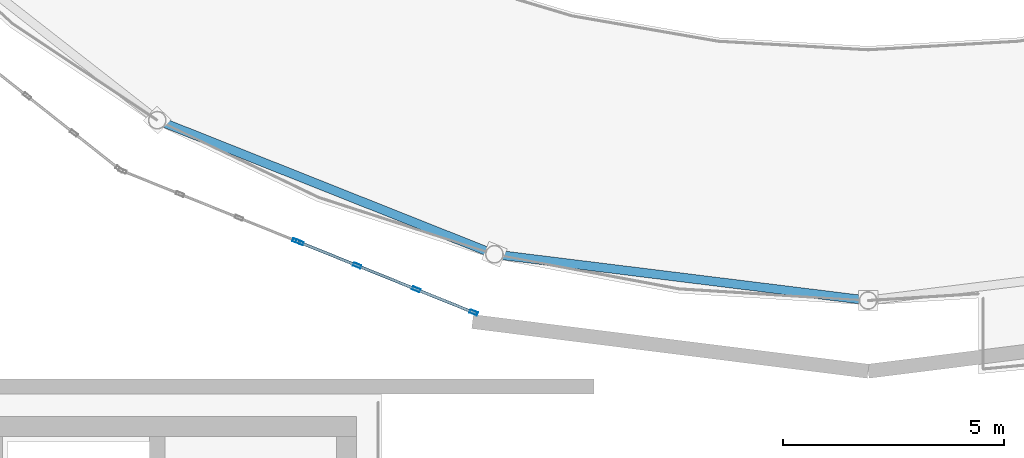
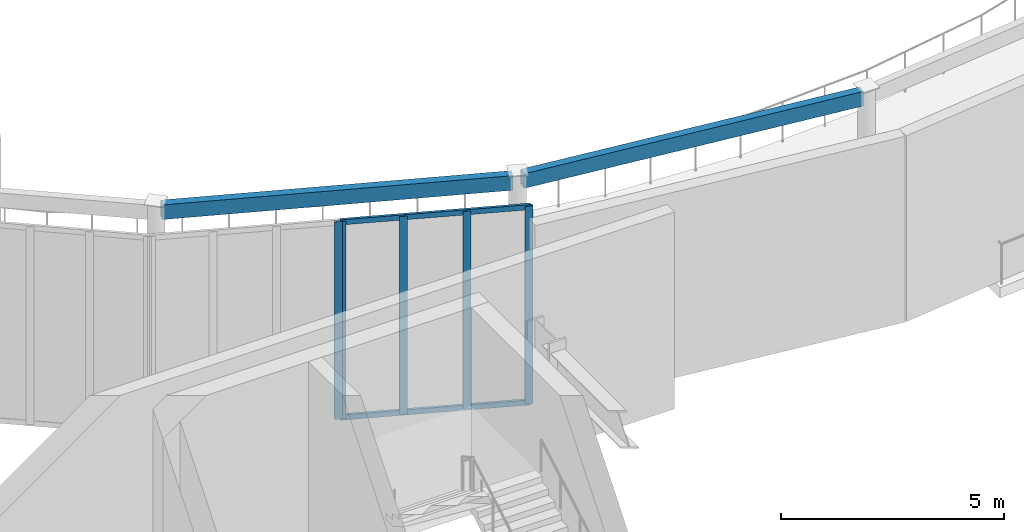
# One storey, part 39 of 98: 7 members, 2 beams, 2 elements without a shape of their own.
"""IFC4 building model written with IfcOpenShell, lengths in metres."""

from ifc_helpers import new_model, si_unit, direction, frame, origin, origin_2d, place, context, subcontext, project, spatial, hollow_rectangle, extrude, material, layer, layer_set, material_profile, profile_set, type_object, element, aggregate, save


model = new_model("IFC4")

# Units and contexts
model_context = context("Model", 3, precision=1e-05, world=origin(), true_north=direction((0.0, 1.0)))
body_context = subcontext(model_context, "Body", "Model", "MODEL_VIEW")
ifc_project = project(units=[si_unit("LENGTHUNIT", "METRE"), si_unit("AREAUNIT", "SQUARE_METRE"), si_unit("VOLUMEUNIT", "CUBIC_METRE"), si_unit("PLANEANGLEUNIT", "RADIAN"), si_unit("MASSUNIT", "GRAM", prefix="KILO")], contexts=[model_context])

# Site, building, storey
site_placement = place(None, origin())
site = spatial("IfcSite", under=ifc_project, at=site_placement, CompositionType="ELEMENT")
building_placement = place(site_placement, origin())
building = spatial("IfcBuilding", under=site, at=building_placement, Name="Sollismere Congress Hotel", CompositionType="ELEMENT")
storey_placement = place(building_placement, frame((0.0, 0.0, 5.39990234375)))
storey = spatial("IfcBuildingStorey", under=building, at=storey_placement, Name="L01", CompositionType="ELEMENT", Elevation=5.39990234375)

# Beams
ifc_material_1 = material(Name="Steel ASTM A500 Grade C", Category="steel")
ifc_material_profile_1 = material_profile(ifc_material_1, hollow_rectangle(XDim=0.199951171875, YDim=0.39990234375, WallThickness=0.011962890625, at=origin_2d()), Name="HSS400X200X12")
ifc_profile_set_1 = profile_set([ifc_material_profile_1], Name="Steel ASTM A500 Grade C")
beam_type = type_object("IfcBeamType", Name="BM-BX400", PredefinedType="HOLLOWCORE", material=ifc_profile_set_1)
beam_1_placement = place(storey_placement, frame((13.03564453125, 73.0830078125, 5.150146484375), z_axis=(0.929208384376, -0.369556191134, 0.0), x_axis=(0.369556191134, 0.929208384376, 0.0)))
element("IfcBeam", 1, at=beam_1_placement, inside=storey, type_object=beam_type, Name="Beam BM-L01-4199", PredefinedType="HOLLOWCORE", context=body_context, shape_type="SweptSolid", body=[
    extrude(hollow_rectangle(XDim=0.199951171875, YDim=0.39990234375, WallThickness=0.011962890625, at=origin_2d()), origin(), (0.0, 0.0, 1.0), 7.96533203125),
])
beam_2_placement = place(storey_placement, frame((20.66748046875, 70.080078125, 5.150146484375), z_axis=(0.992444891413, -0.122691228327, 0.0), x_axis=(0.122691228327, 0.992444891413, 0.0)))
element("IfcBeam", 2, at=beam_2_placement, inside=storey, type_object=beam_type, Name="Beam BM-L01-4200", PredefinedType="HOLLOWCORE", context=body_context, shape_type="SweptSolid", body=[
    extrude(hollow_rectangle(XDim=0.199951171875, YDim=0.39990234375, WallThickness=0.011962890625, at=origin_2d()), origin(), (0.0, 0.0, 1.0), 8.27587890625),
])

# Curtain wall, member
ifc_material_2 = material(Name="Anodized Bronze Curtain Wall & Low-E Triple Glazing", Category="glass")
ifc_layer = layer(ifc_material_2, 0.199951171875, Name="Anodized Bronze Curtain Wall & Low-E Triple Glazing")
ifc_layer_set = layer_set([ifc_layer], Name="Anodized Bronze Curtain Wall & Low-E Triple Glazing")
curtain_wall_type = type_object("IfcCurtainWallType", Name="CW-GLZ36", PredefinedType="USERDEFINED", material=ifc_layer_set)
curtain_wall_1_placement = place(storey_placement, origin())
curtain_wall_1 = element("IfcCurtainWall", 3, at=curtain_wall_1_placement, inside=storey, type_object=curtain_wall_type, Name="Unitised curtain wall CW-L01-061", ObjectType="UNITISED CURTAIN WALL", PredefinedType="USERDEFINED")
ifc_material_3 = material(Name="Anodized Aluminum 6063-T6", Category="aluminium")
ifc_material_profile_2 = material_profile(ifc_material_3, hollow_rectangle(XDim=0.074951171875, YDim=0.179931640625, WallThickness=0.0048828125, at=origin_2d()), Name="ALU180X75X5")
ifc_profile_set_2 = profile_set([ifc_material_profile_2], Name="Anodized Aluminum 6063-T6")
member_type_1 = type_object("IfcMemberType", Name="ML-CW180", PredefinedType="MULLION", material=ifc_profile_set_2)
member_1_placement = place(storey_placement, frame((16.0732421875, 70.393310546875, 0.0), z_axis=(0.0, 0.0, 1.0), x_axis=(0.373943018709, 0.927451680013, 0.0)))
member_1 = element("IfcMember", 4, at=member_1_placement, type_object=member_type_1, Name="CWL-CW-L01-061-ML04", PredefinedType="MULLION", context=body_context, shape_type="SweptSolid", body=[
    extrude(hollow_rectangle(XDim=0.074951171875, YDim=0.179931640625, WallThickness=0.0048828125, at=origin_2d()), origin(), (0.0, 0.0, 1.0), 5.420166015625),
])
aggregate(curtain_wall_1, [member_1])

# Curtain wall, members
curtain_wall_2_placement = place(storey_placement, origin())
curtain_wall_2 = element("IfcCurtainWall", 5, at=curtain_wall_2_placement, inside=storey, type_object=curtain_wall_type, Name="Unitised curtain wall CW-L01-062", ObjectType="UNITISED CURTAIN WALL", PredefinedType="USERDEFINED")
member_2_placement = place(storey_placement, frame((16.143798828125, 70.364990234375, 0.0), z_axis=(0.0, 0.0, 1.0), x_axis=(0.373943018709, 0.927451680013, 0.0)))
member_2 = element("IfcMember", 6, at=member_2_placement, type_object=member_type_1, Name="CWL-CW-L01-062-ML01", PredefinedType="MULLION", context=body_context, shape_type="SweptSolid", body=[
    extrude(hollow_rectangle(XDim=0.074951171875, YDim=0.179931640625, WallThickness=0.0048828125, at=origin_2d()), origin(), (0.0, 0.0, 1.0), 5.420166015625),
])
member_3_placement = place(storey_placement, frame((17.4443359375, 69.840576171875, 0.0), z_axis=(0.0, 0.0, 1.0), x_axis=(0.373943018709, 0.927451680013, 0.0)))
member_3 = element("IfcMember", 7, at=member_3_placement, type_object=member_type_1, Name="CWL-CW-L01-062-ML02", PredefinedType="MULLION", context=body_context, shape_type="SweptSolid", body=[
    extrude(hollow_rectangle(XDim=0.074951171875, YDim=0.179931640625, WallThickness=0.0048828125, at=origin_2d()), origin(), (0.0, 0.0, 1.0), 5.420166015625),
])
member_4_placement = place(storey_placement, frame((18.780029296875, 69.302001953125, 0.0), z_axis=(0.0, 0.0, 1.0), x_axis=(0.373943018709, 0.927451680013, 0.0)))
member_4 = element("IfcMember", 8, at=member_4_placement, type_object=member_type_1, Name="CWL-CW-L01-062-ML03", PredefinedType="MULLION", context=body_context, shape_type="SweptSolid", body=[
    extrude(hollow_rectangle(XDim=0.074951171875, YDim=0.179931640625, WallThickness=0.0048828125, at=origin_2d()), origin(), (0.0, 0.0, 1.0), 5.420166015625),
])
member_5_placement = place(storey_placement, frame((20.08056640625, 68.777587890625, 0.0), z_axis=(0.0, 0.0, 1.0), x_axis=(0.373943018709, 0.927451680013, 0.0)))
member_5 = element("IfcMember", 9, at=member_5_placement, type_object=member_type_1, Name="CWL-CW-L01-062-ML04", PredefinedType="MULLION", context=body_context, shape_type="SweptSolid", body=[
    extrude(hollow_rectangle(XDim=0.074951171875, YDim=0.179931640625, WallThickness=0.0048828125, at=origin_2d()), origin(), (0.0, 0.0, 1.0), 5.420166015625),
])
ifc_material_profile_3 = material_profile(ifc_material_3, hollow_rectangle(XDim=0.06494140625, YDim=0.139892578125, WallThickness=0.00390625, at=origin_2d()), Name="ALU140X65X4")
ifc_profile_set_3 = profile_set([ifc_material_profile_3], Name="Anodized Aluminum 6063-T6")
member_type_2 = type_object("IfcMemberType", Name="TR-CW150", PredefinedType="MEMBER", material=ifc_profile_set_3)
member_6_placement = place(storey_placement, frame((16.1083984375, 70.379150390625, 0.03271484375), z_axis=(0.927452218611, -0.373941682878, 0.0), x_axis=(0.373941682878, 0.927452218611, 0.0)))
member_6 = element("IfcMember", 10, at=member_6_placement, type_object=member_type_2, Name="CWL-CW-L01-062-TR1", PredefinedType="MEMBER", context=body_context, shape_type="SweptSolid", body=[
    extrude(hollow_rectangle(XDim=0.06494140625, YDim=0.139892578125, WallThickness=0.00390625, at=origin_2d()), origin(), (0.0, 0.0, 1.0), 4.32080078125),
])
member_7_placement = place(storey_placement, frame((16.1083984375, 70.379150390625, 5.3876953125), z_axis=(0.927452218611, -0.373941682878, 0.0), x_axis=(0.373941682878, 0.927452218611, 0.0)))
member_7 = element("IfcMember", 11, at=member_7_placement, type_object=member_type_2, Name="CWL-CW-L01-062-TR2", PredefinedType="MEMBER", context=body_context, shape_type="SweptSolid", body=[
    extrude(hollow_rectangle(XDim=0.06494140625, YDim=0.139892578125, WallThickness=0.00390625, at=origin_2d()), origin(), (0.0, 0.0, 1.0), 4.32080078125),
])
aggregate(curtain_wall_2, [member_2, member_3, member_4, member_5, member_6, member_7])

save(model, "model.ifc")
